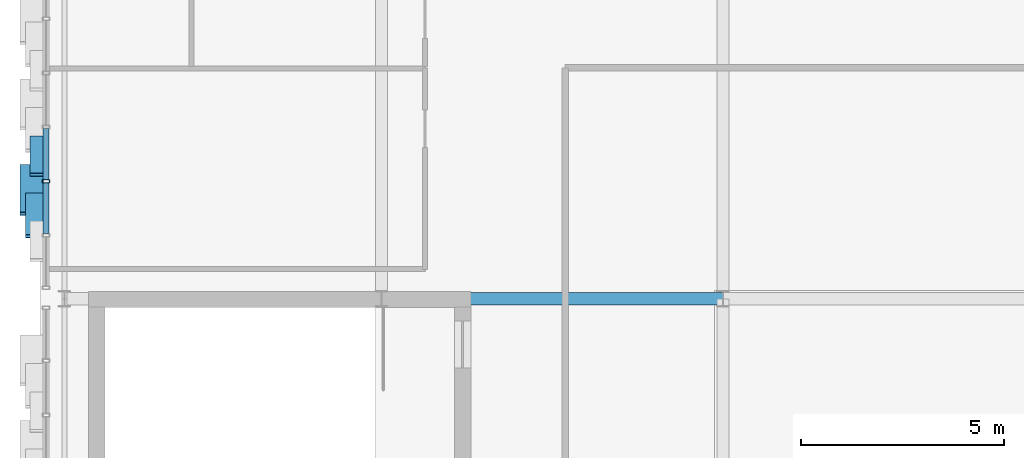
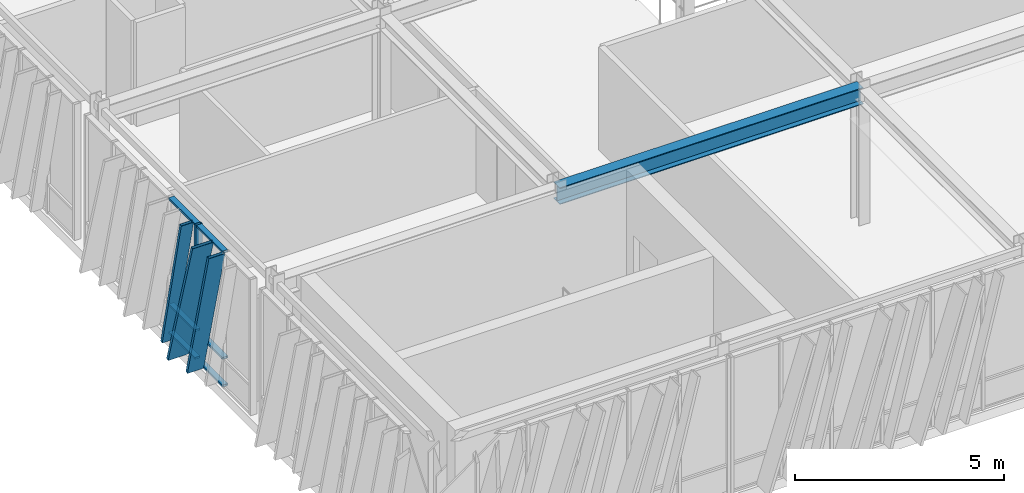
# One storey, part 33 of 123: 10 members, 1 beam, 1 element without a shape of its own.
"""IFC4 building model written with IfcOpenShell, lengths in metres."""

import ifcopenshell
import ifcopenshell.guid

model = None  # the IFC model being written
_history = None  # IfcOwnerHistory: only IFC2X3 demands one
_inside = {}  # id of a spatial element -> (the spatial element, [elements in it])
_under = {}  # id of a project, library or spatial element -> (it, [spatial elements below it])
_declared = {}  # id of a project -> (the project, [libraries it declares])
_typed = {}  # id of a type object -> (the type object, [elements of that type])
_made_of = {}  # id of a material, layer set ... -> (it, [elements and type objects made of it])


def new_model(schema):
    """Start an empty IFC model of exactly this schema.

    Asked for "IFC4X3", IfcOpenShell would pick the latest addendum, in which some entities
    have other attributes; the version numbers below select the first issue.
    IFC2X3 requires an IfcOwnerHistory on every rooted entity: one is made here for all.
    """
    global model, _history
    if schema == "IFC4X3":
        model = ifcopenshell.file(schema_version=(4, 3, 0, 0))
    else:
        model = ifcopenshell.file(schema=schema)
    _inside.clear()
    _under.clear()
    _declared.clear()
    _typed.clear()
    _made_of.clear()
    _history = None
    if model.schema == "IFC2X3":
        org = make("IfcOrganization", Name="unknown")
        user = make(
            "IfcPersonAndOrganization",
            ThePerson=make("IfcPerson", FamilyName="unknown"),
            TheOrganization=org,
        )
        app = make(
            "IfcApplication",
            ApplicationDeveloper=org,
            Version="unknown",
            ApplicationFullName="unknown",
            ApplicationIdentifier="unknown",
        )
        _history = make(
            "IfcOwnerHistory",
            OwningUser=user,
            OwningApplication=app,
            ChangeAction="ADDED",
            CreationDate=0,
        )
    return model


def make(cls, **values):
    """One entity of the class cls with the attributes given. An attribute that is None is left unset."""
    return model.create_entity(
        cls, **{name: value for name, value in values.items() if value is not None}
    )


def rooted(cls, **values):
    """An entity with a GlobalId (a new one), such as an element, a storey or a relation."""
    return make(cls, GlobalId=ifcopenshell.guid.new(), OwnerHistory=_history, **values)


def si_unit(unit_type, name, prefix=None):
    """IfcSIUnit, for example si_unit("LENGTHUNIT", "METRE", prefix="MILLI")."""
    return make("IfcSIUnit", UnitType=unit_type, Prefix=prefix, Name=name)


def assignment(units):
    """IfcUnitAssignment: the units of a project."""
    return None if units is None else make("IfcUnitAssignment", Units=units)


def point(xyz):
    """IfcCartesianPoint."""
    return None if xyz is None else make("IfcCartesianPoint", Coordinates=xyz)


def direction(xyz):
    """IfcDirection."""
    return None if xyz is None else make("IfcDirection", DirectionRatios=xyz)


def frame(location, z_axis=None, x_axis=None):
    """IfcAxis2Placement3D, a coordinate frame: its origin and axes. An axis left out is left unset."""
    return make(
        "IfcAxis2Placement3D",
        Location=point(location),
        Axis=direction(z_axis),
        RefDirection=direction(x_axis),
    )


def frame_2d(location, x_axis=None):
    """IfcAxis2Placement2D, a coordinate frame in the plane: its origin and x axis."""
    return make(
        "IfcAxis2Placement2D", Location=point(location), RefDirection=direction(x_axis)
    )


def origin():
    """The frame at (0, 0, 0) with its axes left unset."""
    return frame((0.0, 0.0, 0.0))


def origin_2d():
    """The frame at (0, 0) in the plane with its x axis left unset."""
    return frame_2d((0.0, 0.0))


def place(relative_to, where):
    """IfcLocalPlacement: puts the frame where relative to a parent placement (None: the world)."""
    return make(
        "IfcLocalPlacement", PlacementRelTo=relative_to, RelativePlacement=where
    )


def context(
    kind, dimensions, precision=None, world=None, true_north=None, identifier=None
):
    """IfcGeometricRepresentationContext, for example the 3D "Model" context."""
    return make(
        "IfcGeometricRepresentationContext",
        ContextIdentifier=identifier,
        ContextType=kind,
        CoordinateSpaceDimension=dimensions,
        Precision=precision,
        WorldCoordinateSystem=world,
        TrueNorth=true_north,
    )


def subcontext(parent, identifier, kind, view, scale=None):
    """IfcGeometricRepresentationSubContext, for example "Body" below "Model"."""
    return make(
        "IfcGeometricRepresentationSubContext",
        ContextIdentifier=identifier,
        ContextType=kind,
        ParentContext=parent,
        TargetScale=scale,
        TargetView=view,
    )


def project(units=None, contexts=None):
    """IfcProject with its units and contexts."""
    return rooted(
        "IfcProject",
        Name="project",
        RepresentationContexts=contexts,
        UnitsInContext=assignment(units),
    )


def spatial(cls, under=None, at=None, **own):
    """A site, building, storey or space (cls), placed at a placement, below another one or the project."""
    s = rooted(cls, ObjectPlacement=at, **own)
    if under is not None:
        _under.setdefault(under.id(), (under, []))[1].append(s)
    return s


def profile(cls, at=None, kind="AREA", **sizes):
    """A parametric profile (cls). Its sizes go by their IFC names, for example OverallWidth=200.0."""
    return make(cls, ProfileType=kind, Position=at, **sizes)


def hollow_rectangle(**sizes):
    """IfcRectangleHollowProfileDef."""
    return profile("IfcRectangleHollowProfileDef", **sizes)


def i_section(**sizes):
    """IfcIShapeProfileDef."""
    return profile("IfcIShapeProfileDef", **sizes)


def extrude(swept, where, along, depth):
    """IfcExtrudedAreaSolid: the profile swept, set in the frame where, extruded along a direction by depth."""
    return make(
        "IfcExtrudedAreaSolid",
        SweptArea=swept,
        Position=where,
        ExtrudedDirection=direction(along),
        Depth=depth,
    )


def shape(context_of_items, identifier, shape_type, items):
    """IfcShapeRepresentation: the items that make up one representation, for example the "Body"."""
    return make(
        "IfcShapeRepresentation",
        ContextOfItems=context_of_items,
        RepresentationIdentifier=identifier,
        RepresentationType=shape_type,
        Items=items,
    )


def material(Name=None, Category=None):
    """IfcMaterial."""
    return make("IfcMaterial", Name=Name, Category=Category)


def layer(
    of_material, thickness, ventilated=None, Name=None, Category=None, Priority=None
):
    """IfcMaterialLayer: one layer of a wall or slab, of a material (None: an air gap)."""
    return make(
        "IfcMaterialLayer",
        Material=of_material,
        LayerThickness=thickness,
        IsVentilated=ventilated,
        Name=Name,
        Category=Category,
        Priority=Priority,
    )


def layer_set(layers, Name=None):
    """IfcMaterialLayerSet."""
    return make("IfcMaterialLayerSet", MaterialLayers=layers, LayerSetName=Name)


def material_profile(
    of_material, cross_section, Name=None, Category=None, Priority=None
):
    """IfcMaterialProfile: a cross section and its material."""
    return make(
        "IfcMaterialProfile",
        Name=Name,
        Material=of_material,
        Profile=cross_section,
        Priority=Priority,
        Category=Category,
    )


def profile_set(profiles, Name=None, composite=None):
    """IfcMaterialProfileSet."""
    return make(
        "IfcMaterialProfileSet",
        Name=Name,
        MaterialProfiles=profiles,
        CompositeProfile=composite,
    )


def made_of(thing, what):
    """Note that an element or type object is made of a material, layer set ...; save() writes the relation."""
    if what is not None:
        _made_of.setdefault(what.id(), (what, []))[1].append(thing)
    return thing


def type_object(cls, material=None, **own):
    """A type object (cls), such as IfcWallType, which elements share."""
    return made_of(rooted(cls, **own), material)


def element(
    cls,
    number,
    at=None,
    inside=None,
    cuts=None,
    type_object=None,
    material=None,
    context=None,
    identifier="Body",
    shape_type=None,
    held_by="IfcProductDefinitionShape",
    body=None,
    shapes=None,
    **own,
):
    """One element of the class cls, such as IfcWall. Its Tag is "e" and its number.

    at: its placement. inside: the storey or other place that contains it. cuts: it is an
    opening in that element (IfcRelVoidsElement). A single representation is given by context,
    identifier, shape_type and body (its items); several are given by shapes. held_by: the class
    of the entity that holds the representations. save() writes the other relations.
    """
    e = rooted(cls, Tag="e%d" % number, ObjectPlacement=at, **own)
    if body is not None:
        shapes = [shape(context, identifier, shape_type, body)]
    if shapes is not None:
        e.Representation = make(held_by, Representations=shapes)
    if inside is not None:
        _inside.setdefault(inside.id(), (inside, []))[1].append(e)
    if cuts is not None:
        rooted(
            "IfcRelVoidsElement", RelatingBuildingElement=cuts, RelatedOpeningElement=e
        )
    if type_object is not None:
        _typed.setdefault(type_object.id(), (type_object, []))[1].append(e)
    return made_of(e, material)


def aggregate(whole, parts):
    """IfcRelAggregates: a whole, such as a stair, and the parts it consists of."""
    return rooted("IfcRelAggregates", RelatingObject=whole, RelatedObjects=parts)


def save(model, path):
    """Write the relations noted so far, then the file.

    IfcRelAggregates (storeys below a building ...), IfcRelContainedInSpatialStructure (elements
    in a storey), IfcRelDefinesByType, IfcRelAssociatesMaterial and IfcRelDeclares: one each for
    every whole, place, type object, material and project.
    """
    for whole, parts in _under.values():
        aggregate(whole, parts)
    for where, things in _inside.values():
        rooted(
            "IfcRelContainedInSpatialStructure",
            RelatedElements=things,
            RelatingStructure=where,
        )
    for kind, things in _typed.values():
        rooted("IfcRelDefinesByType", RelatedObjects=things, RelatingType=kind)
    for what, things in _made_of.values():
        rooted("IfcRelAssociatesMaterial", RelatedObjects=things, RelatingMaterial=what)
    for by, libraries in _declared.values():
        rooted("IfcRelDeclares", RelatingContext=by, RelatedDefinitions=libraries)
    model.write(path)


model = new_model("IFC4")

# Units and contexts
model_context = context("Model", 3, precision=1e-05, world=origin(), true_north=direction((0.0, 1.0)))
body_context = subcontext(model_context, "Body", "Model", "MODEL_VIEW")
ifc_project = project(units=[si_unit("LENGTHUNIT", "METRE"), si_unit("AREAUNIT", "SQUARE_METRE"), si_unit("VOLUMEUNIT", "CUBIC_METRE"), si_unit("PLANEANGLEUNIT", "RADIAN"), si_unit("MASSUNIT", "GRAM", prefix="KILO")], contexts=[model_context])

# Site, building, storey
site_placement = place(None, origin())
site = spatial("IfcSite", under=ifc_project, at=site_placement, CompositionType="ELEMENT")
building_placement = place(site_placement, origin())
building = spatial("IfcBuilding", under=site, at=building_placement, Name="Zayran Congress Hotel", CompositionType="ELEMENT")
storey_placement = place(building_placement, frame((0.0, 0.0, 15.0)))
storey = spatial("IfcBuildingStorey", under=building, at=storey_placement, Name="L03", CompositionType="ELEMENT", Elevation=15.0)

# Beam
ifc_material_1 = material(Name="Steel S355", Category="steel")
ifc_material_profile_1 = material_profile(ifc_material_1, i_section(OverallWidth=0.300048828125, OverallDepth=0.489990234375, WebThickness=0.011962890625, FlangeThickness=0.02294921875, at=origin_2d()), Name="HEA 500")
ifc_profile_set_1 = profile_set([ifc_material_profile_1], Name="Steel S355")
beam_type = type_object("IfcBeamType", Name="TP-BM-05", PredefinedType="BEAM", material=ifc_profile_set_1)
beam_placement = place(storey_placement, frame((16.800048828125, 76.0, 3.735107421875), z_axis=(1.0, 0.0, 0.0), x_axis=(0.0, 1.0, 0.0)))
element("IfcBeam", 1, at=beam_placement, inside=storey, type_object=beam_type, Name="BM-V1-L03-0802", PredefinedType="BEAM", context=body_context, shape_type="SweptSolid", body=[
    extrude(i_section(OverallWidth=0.300048828125, OverallDepth=0.489990234375, WebThickness=0.011962890625, FlangeThickness=0.02294921875, at=origin_2d()), origin(), (0.0, 0.0, 1.0), 8.39990234375),
])

# Curtain wall, members
ifc_material_2 = material(Name="Anodised aluminium and low-E insulated glass", Category="aluminium")
ifc_layer = layer(ifc_material_2, 0.179931640625)
ifc_layer_set = layer_set([ifc_layer], Name="Anodised aluminium and low-E insulated glass")
curtain_wall_type = type_object("IfcCurtainWallType", Name="CW-V1W-L03-CW-32-7990-3980", PredefinedType="USERDEFINED", material=ifc_layer_set)
curtain_wall_placement = place(storey_placement, origin())
curtain_wall = element("IfcCurtainWall", 2, at=curtain_wall_placement, inside=storey, type_object=curtain_wall_type, Name="CW-V1W-L03-1", ObjectType="CURTAIN WALL", PredefinedType="USERDEFINED")
ifc_material_3 = material(Name="Anodised aluminium framing", Category="aluminium")
ifc_material_profile_2 = material_profile(ifc_material_3, hollow_rectangle(XDim=0.080078125, YDim=0.179931640625, WallThickness=0.0048828125, at=origin_2d()), Name="RHS 180x80x5")
ifc_profile_set_2 = profile_set([ifc_material_profile_2], Name="Anodised aluminium framing")
member_type_1 = type_object("IfcMemberType", Name="TP-CWM-01", PredefinedType="MULLION", material=ifc_profile_set_2)
member_1_placement = place(storey_placement, frame((8.550048828125, 78.893310546875, 0.0), z_axis=(0.0, 0.0, 1.0), x_axis=(0.0, 1.0, 0.0)))
member_1 = element("IfcMember", 3, at=member_1_placement, type_object=member_type_1, Name="CW-V1W-L03-1-M04", PredefinedType="MULLION", context=body_context, shape_type="SweptSolid", body=[
    extrude(hollow_rectangle(XDim=0.080078125, YDim=0.179931640625, WallThickness=0.0048828125, at=origin_2d()), origin(), (0.0, 0.0, 1.0), 3.97998046875),
])
ifc_material_profile_3 = material_profile(ifc_material_3, hollow_rectangle(XDim=0.06005859375, YDim=0.14990234375, WallThickness=0.00390625, at=origin_2d()), Name="RHS 150x60x4")
ifc_profile_set_3 = profile_set([ifc_material_profile_3], Name="Anodised aluminium framing")
member_type_2 = type_object("IfcMemberType", Name="TP-CWT-01", PredefinedType="USERDEFINED", material=ifc_profile_set_3)
member_2_placement = place(storey_placement, frame((8.550048828125, 80.18505859375, 0.030029296875), z_axis=(0.0, -1.0, 0.0), x_axis=(0.0, 0.0, 1.0)))
member_2 = element("IfcMember", 4, at=member_2_placement, type_object=member_type_2, Name="CW-V1W-L03-1-T03-0", ObjectType="TRANSOM", PredefinedType="USERDEFINED", context=body_context, shape_type="SweptSolid", body=[
    extrude(hollow_rectangle(XDim=0.06005859375, YDim=0.14990234375, WallThickness=0.00390625, at=origin_2d()), origin(), (0.0, 0.0, 1.0), 1.251708984375),
])
member_3_placement = place(storey_placement, frame((8.550048828125, 80.18505859375, 0.840087890625), z_axis=(0.0, -1.0, 0.0), x_axis=(0.0, 0.0, 1.0)))
member_3 = element("IfcMember", 5, at=member_3_placement, type_object=member_type_2, Name="CW-V1W-L03-1-T03-1", ObjectType="TRANSOM", PredefinedType="USERDEFINED", context=body_context, shape_type="SweptSolid", body=[
    extrude(hollow_rectangle(XDim=0.06005859375, YDim=0.14990234375, WallThickness=0.00390625, at=origin_2d()), origin(), (0.0, 0.0, 1.0), 1.251708984375),
])
member_4_placement = place(storey_placement, frame((8.550048828125, 80.18505859375, 3.949951171875), z_axis=(0.0, -1.0, 0.0), x_axis=(0.0, 0.0, 1.0)))
member_4 = element("IfcMember", 6, at=member_4_placement, type_object=member_type_2, Name="CW-V1W-L03-1-T03-2", ObjectType="TRANSOM", PredefinedType="USERDEFINED", context=body_context, shape_type="SweptSolid", body=[
    extrude(hollow_rectangle(XDim=0.06005859375, YDim=0.14990234375, WallThickness=0.00390625, at=origin_2d()), origin(), (0.0, 0.0, 1.0), 1.251708984375),
])
member_5_placement = place(storey_placement, frame((8.550048828125, 78.853271484375, 0.030029296875), z_axis=(0.0, -1.0, 0.0), x_axis=(0.0, 0.0, 1.0)))
member_5 = element("IfcMember", 7, at=member_5_placement, type_object=member_type_2, Name="CW-V1W-L03-1-T04-0", ObjectType="TRANSOM", PredefinedType="USERDEFINED", context=body_context, shape_type="SweptSolid", body=[
    extrude(hollow_rectangle(XDim=0.06005859375, YDim=0.14990234375, WallThickness=0.00390625, at=origin_2d()), origin(), (0.0, 0.0, 1.0), 1.25146484375),
])
member_6_placement = place(storey_placement, frame((8.550048828125, 78.853271484375, 0.840087890625), z_axis=(0.0, -1.0, 0.0), x_axis=(0.0, 0.0, 1.0)))
member_6 = element("IfcMember", 8, at=member_6_placement, type_object=member_type_2, Name="CW-V1W-L03-1-T04-1", ObjectType="TRANSOM", PredefinedType="USERDEFINED", context=body_context, shape_type="SweptSolid", body=[
    extrude(hollow_rectangle(XDim=0.06005859375, YDim=0.14990234375, WallThickness=0.00390625, at=origin_2d()), origin(), (0.0, 0.0, 1.0), 1.25146484375),
])
member_7_placement = place(storey_placement, frame((8.550048828125, 78.853271484375, 3.949951171875), z_axis=(0.0, -1.0, 0.0), x_axis=(0.0, 0.0, 1.0)))
member_7 = element("IfcMember", 9, at=member_7_placement, type_object=member_type_2, Name="CW-V1W-L03-1-T04-2", ObjectType="TRANSOM", PredefinedType="USERDEFINED", context=body_context, shape_type="SweptSolid", body=[
    extrude(hollow_rectangle(XDim=0.06005859375, YDim=0.14990234375, WallThickness=0.00390625, at=origin_2d()), origin(), (0.0, 0.0, 1.0), 1.25146484375),
])
ifc_material_4 = material(Name="Warm bronze anodised aluminium", Category="aluminium")
ifc_material_profile_4 = material_profile(ifc_material_4, hollow_rectangle(XDim=0.080078125, YDim=0.580078125, WallThickness=0.006103515625, at=origin_2d()), Name="RHS 580x80x6")
ifc_profile_set_4 = profile_set([ifc_material_profile_4], Name="Warm bronze anodised aluminium")
member_type_3 = type_object("IfcMemberType", Name="TP-RFN-01", PredefinedType="MULLION", material=ifc_profile_set_4)
member_8_placement = place(storey_placement, frame((8.199951171875, 79.27001953125, 0.0), z_axis=(0.0, -0.284022244508, 0.958817691026), x_axis=(0.0, 0.958817691026, 0.284022244508)))
member_8 = element("IfcMember", 10, at=member_8_placement, type_object=member_type_3, Name="Slanting Reed Mullion CW-32-07", PredefinedType="MULLION", context=body_context, shape_type="SweptSolid", body=[
    extrude(hollow_rectangle(XDim=0.080078125, YDim=0.580078125, WallThickness=0.006103515625, at=origin_2d()), origin(), (0.0, 0.0, 1.0), 4.15087890625),
])
ifc_material_profile_5 = material_profile(ifc_material_4, hollow_rectangle(XDim=0.080078125, YDim=0.449951171875, WallThickness=0.006103515625, at=origin_2d()), Name="RHS 450x80x6")
ifc_profile_set_5 = profile_set([ifc_material_profile_5], Name="Warm bronze anodised aluminium")
member_type_4 = type_object("IfcMemberType", Name="TP-RFN-02", PredefinedType="MULLION", material=ifc_profile_set_5)
member_9_placement = place(storey_placement, frame((8.264892578125, 78.570068359375, 0.0), z_axis=(0.0, -0.250380902481, 0.968147408029), x_axis=(0.0, 0.968147408029, 0.250380902481)))
member_9 = element("IfcMember", 11, at=member_9_placement, type_object=member_type_4, Name="Slanting Reed Mullion CW-32-08", PredefinedType="MULLION", context=body_context, shape_type="SweptSolid", body=[
    extrude(hollow_rectangle(XDim=0.080078125, YDim=0.449951171875, WallThickness=0.006103515625, at=origin_2d()), origin(), (0.0, 0.0, 1.0), 4.11083984375),
])
ifc_material_profile_6 = material_profile(ifc_material_4, hollow_rectangle(XDim=0.080078125, YDim=0.340087890625, WallThickness=0.006103515625, at=origin_2d()), Name="RHS 340x80x6")
ifc_profile_set_6 = profile_set([ifc_material_profile_6], Name="Warm bronze anodised aluminium")
member_type_5 = type_object("IfcMemberType", Name="TP-RFN-03", PredefinedType="MULLION", material=ifc_profile_set_6)
member_10_placement = place(storey_placement, frame((8.320068359375, 79.969970703125, 0.0), z_axis=(0.0, -0.224973000371, 0.974364997885), x_axis=(0.0, 0.974364997885, 0.224973000371)))
member_10 = element("IfcMember", 12, at=member_10_placement, type_object=member_type_5, Name="Slanting Reed Mullion CW-32-06", PredefinedType="MULLION", context=body_context, shape_type="SweptSolid", body=[
    extrude(hollow_rectangle(XDim=0.080078125, YDim=0.340087890625, WallThickness=0.006103515625, at=origin_2d()), origin(), (0.0, 0.0, 1.0), 4.084716796875),
])
aggregate(curtain_wall, [member_1, member_2, member_3, member_4, member_5, member_6, member_7, member_10, member_8, member_9])

save(model, "model.ifc")
